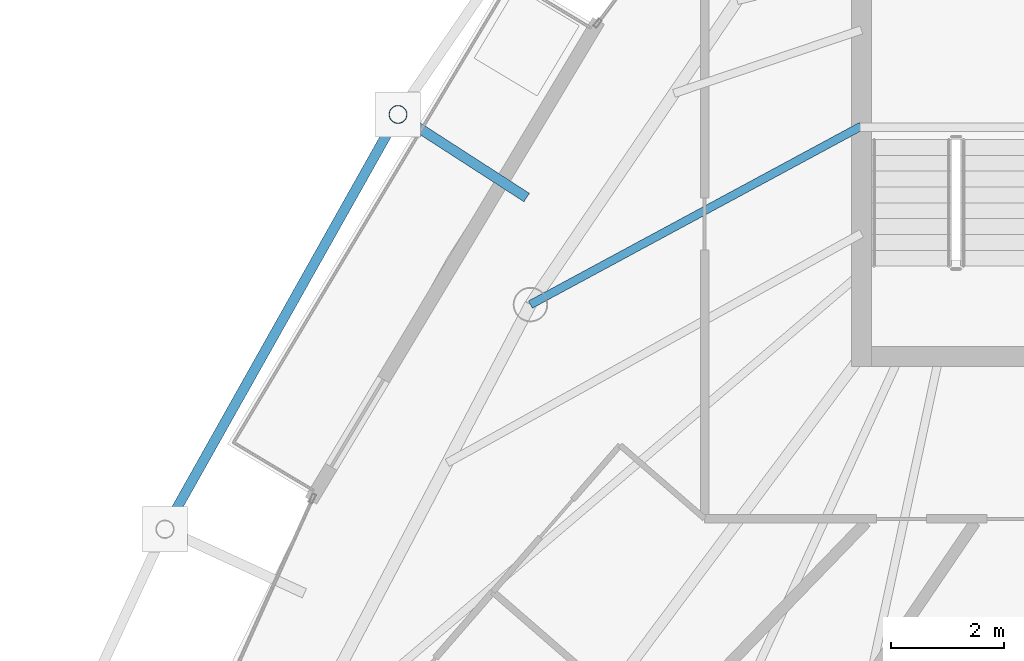
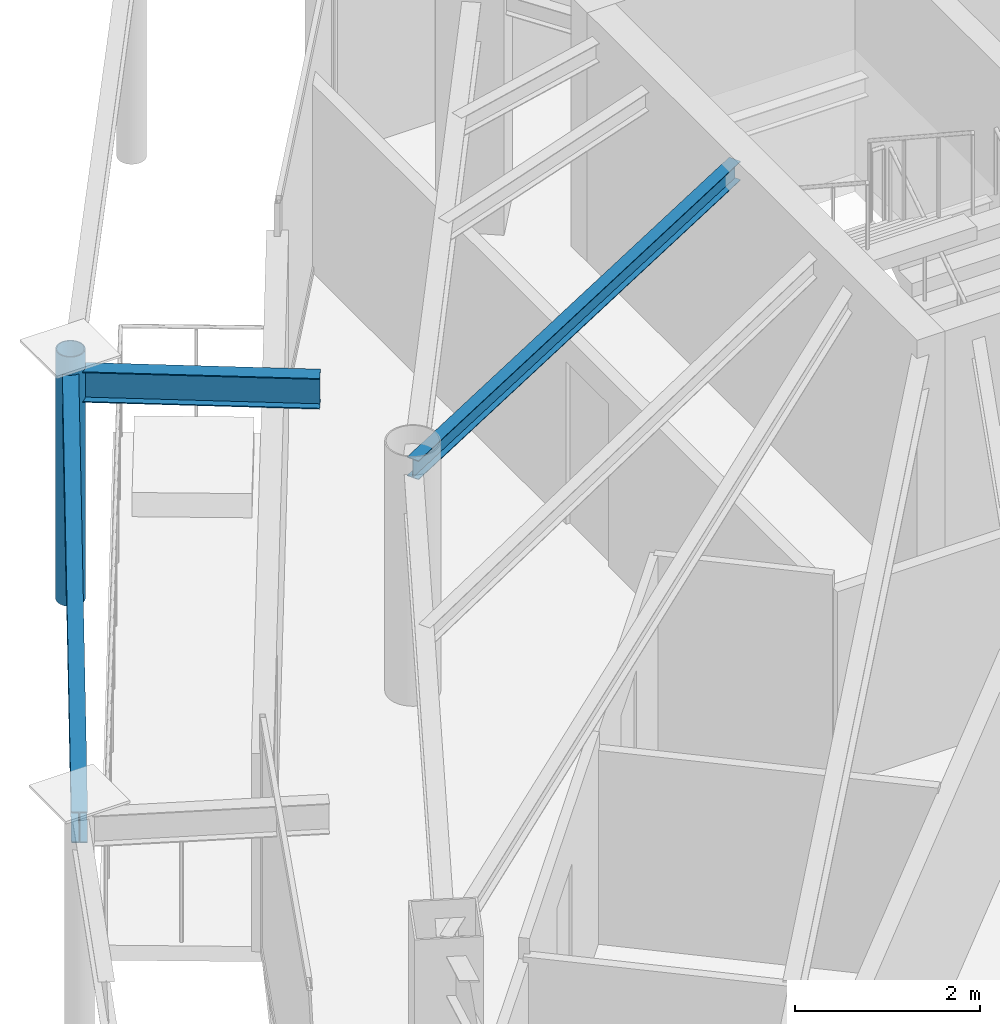
# One storey, part 11 of 29: 3 beams, 1 member.
"""IFC4 building model written with IfcOpenShell, lengths in metres."""

from ifc_helpers import new_model, si_unit, direction, frame, origin, origin_2d, place, context, subcontext, project, spatial, hollow_circle, i_section, extrude, material, material_profile, profile_set, type_object, element, save


model = new_model("IFC4")

# Units and contexts
model_context = context("Model", 3, precision=1e-05, world=origin(), true_north=direction((0.0, 1.0)))
body_context = subcontext(model_context, "Body", "Model", "MODEL_VIEW")
ifc_project = project(units=[si_unit("LENGTHUNIT", "METRE"), si_unit("AREAUNIT", "SQUARE_METRE"), si_unit("VOLUMEUNIT", "CUBIC_METRE"), si_unit("PLANEANGLEUNIT", "RADIAN"), si_unit("MASSUNIT", "GRAM", prefix="KILO")], contexts=[model_context])

# Site, building, storey
site_placement = place(None, origin())
site = spatial("IfcSite", under=ifc_project, at=site_placement, CompositionType="ELEMENT")
building_placement = place(site_placement, origin())
building = spatial("IfcBuilding", under=site, at=building_placement, Name="Orvanel Arch Residences", CompositionType="ELEMENT")
storey_placement = place(building_placement, frame((0.0, 0.0, 246.949951171875)))
storey = spatial("IfcBuildingStorey", under=building, at=storey_placement, Name="L70", CompositionType="ELEMENT", Elevation=246.949951171875)

# Beams
ifc_material_1 = material(Name="Structural steel AS/NZS 3679.1 Grade 300 (300 MPa)", Category="steel")
ifc_material_profile_1 = material_profile(ifc_material_1, i_section(OverallWidth=0.14599609375, OverallDepth=0.251953125, WebThickness=0.006103515625, FlangeThickness=0.008544921875, at=origin_2d()), Name="250UB31.4")
ifc_profile_set_1 = profile_set([ifc_material_profile_1], Name="Structural steel AS/NZS 3679.1 Grade 300 (300 MPa)")
beam_type_1 = type_object("IfcBeamType", Name="BJ-250UB", PredefinedType="JOIST", material=ifc_profile_set_1)
beam_1_placement = place(storey_placement, frame((26.425048828125, 30.800048828125, 2.93408203125), z_axis=(-0.880111494021, -0.474767056664, 0.0), x_axis=(0.474767056664, -0.880111494021, 0.0)))
element("IfcBeam", 1, at=beam_1_placement, inside=storey, type_object=beam_type_1, Name="L70 NW Wing Floor Joist", PredefinedType="JOIST", context=body_context, shape_type="SweptSolid", body=[
    extrude(i_section(OverallWidth=0.14599609375, OverallDepth=0.251953125, WebThickness=0.006103515625, FlangeThickness=0.008544921875, at=origin_2d()), origin(), (0.0, 0.0, 1.0), 6.653564453125),
])
ifc_material_profile_2 = material_profile(ifc_material_1, i_section(OverallWidth=0.177978515625, OverallDepth=0.406005859375, WebThickness=0.0078125, FlangeThickness=0.0126953125, at=origin_2d()), Name="410UB59.7")
ifc_profile_set_2 = profile_set([ifc_material_profile_2], Name="Structural steel AS/NZS 3679.1 Grade 300 (300 MPa)")
beam_type_2 = type_object("IfcBeamType", Name="OB-410UB-EXT", PredefinedType="SPANDREL", material=ifc_profile_set_2)
beam_2_placement = place(storey_placement, frame((20.501953125, 29.534912109375, 2.85693359375), z_axis=(-0.84001713214, 0.542559874771, 0.0), x_axis=(-0.542559874771, -0.84001713214, 0.0)))
element("IfcBeam", 2, at=beam_2_placement, inside=storey, type_object=beam_type_2, Name="L70 Outer Frame Radial Tie Beam 02", PredefinedType="SPANDREL", context=body_context, shape_type="SweptSolid", body=[
    extrude(i_section(OverallWidth=0.177978515625, OverallDepth=0.406005859375, WebThickness=0.0078125, FlangeThickness=0.0126953125, at=origin_2d()), origin(), (0.0, 0.0, 1.0), 2.709228515625),
])
beam_3_placement = place(storey_placement, frame((18.22607421875, 31.0048828125, 2.85693359375), z_axis=(-0.489853552544, -0.871804735626, 0.0), x_axis=(0.871804735626, -0.489853552544, 0.0)))
element("IfcBeam", 3, at=beam_3_placement, inside=storey, type_object=beam_type_2, Name="L70 Outer Perimeter Floor Ring Beam 02", PredefinedType="SPANDREL", context=body_context, shape_type="SweptSolid", body=[
    extrude(i_section(OverallWidth=0.177978515625, OverallDepth=0.406005859375, WebThickness=0.0078125, FlangeThickness=0.0126953125, at=origin_2d()), origin(), (0.0, 0.0, 1.0), 8.4169921875),
])

# Member
ifc_material_2 = material(Name="Structural steel AS/NZS 1163 C350L0 (Grade 350)", Category="steel")
ifc_material_profile_3 = material_profile(ifc_material_2, hollow_circle(Radius=0.162109375, WallThickness=0.0126953125, at=origin_2d()), Name="CHS324x12.7")
ifc_profile_set_3 = profile_set([ifc_material_profile_3], Name="Structural steel AS/NZS 1163 C350L0 (Grade 350)")
member_type = type_object("IfcMemberType", Name="ST-324CHS-EXT", PredefinedType="STRUT", material=ifc_profile_set_3)
member_placement = place(storey_placement, frame((18.22607421875, 31.0048828125, 0.0), z_axis=(0.0, 0.0, 1.0), x_axis=(1.0, 0.0, 0.0)))
element("IfcMember", 4, at=member_placement, inside=storey, type_object=member_type, Name="L70 Outer Perimeter Frame Post 02", PredefinedType="STRUT", context=body_context, shape_type="SweptSolid", body=[
    extrude(hollow_circle(Radius=0.162109375, WallThickness=0.0126953125, at=origin_2d()), origin(), (0.0, 0.0, 1.0), 3.300048828125),
])

save(model, "model.ifc")
